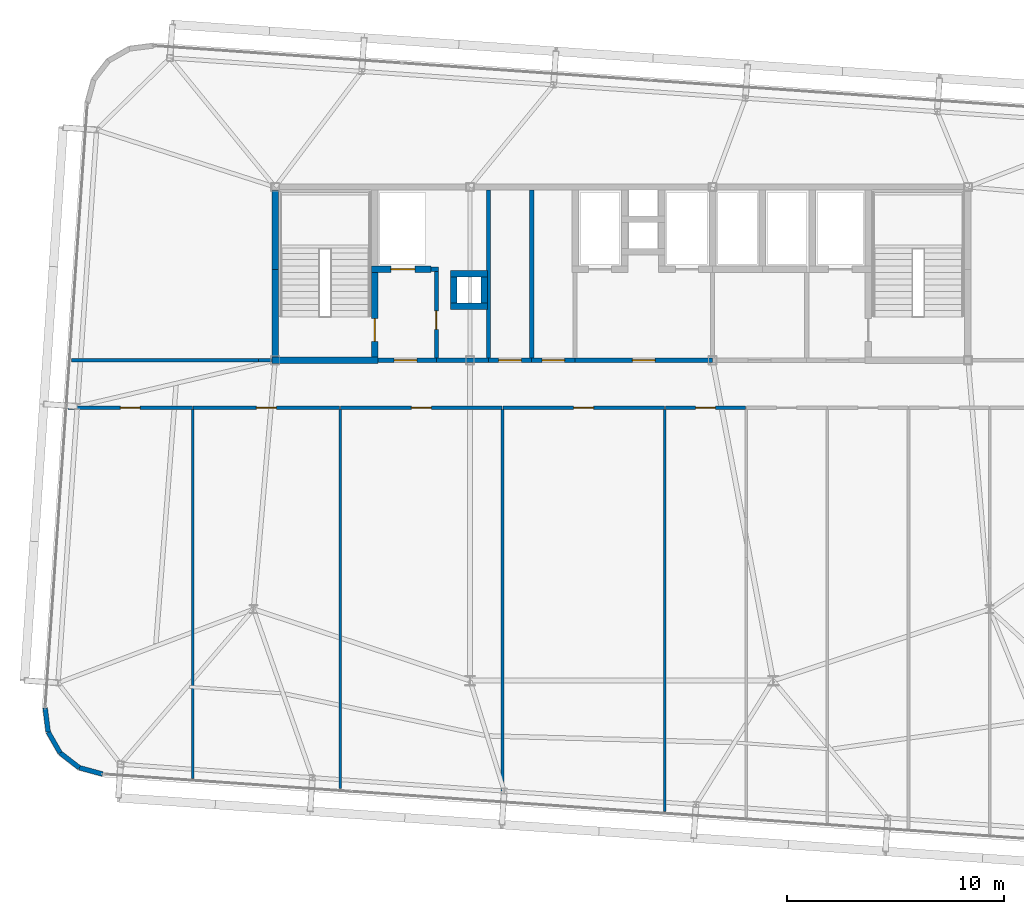
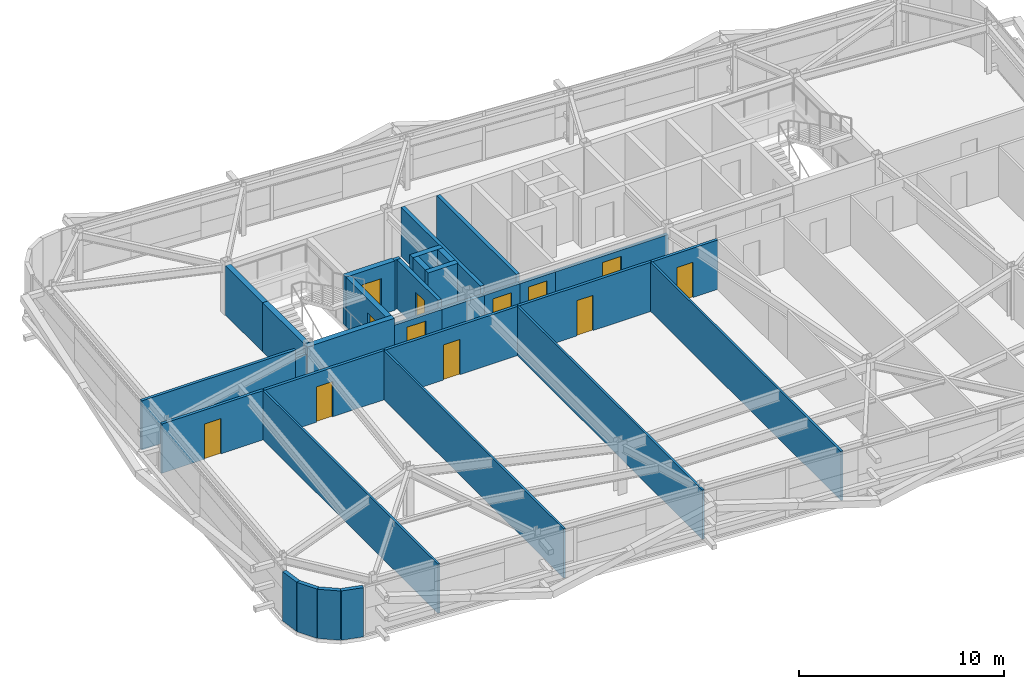
# One storey, part 35 of 39: 33 walls, 12 doors, 12 openings.
"""IFC4 building model written with IfcOpenShell, lengths in metres."""

from ifc_helpers import new_model, si_unit, direction, frame, frame_2d, origin, place, context, subcontext, project, spatial, rectangle, extrude, source, transform, mapped, material, layer, layer_set, type_object, element, fill, save


model = new_model("IFC4")

# Units and contexts
model_context = context("Model", 3, precision=1e-05, world=origin(), true_north=direction((0.0, 1.0)))
body_context = subcontext(model_context, "Body", "Model", "MODEL_VIEW")
ifc_project = project(units=[si_unit("LENGTHUNIT", "METRE"), si_unit("AREAUNIT", "SQUARE_METRE"), si_unit("VOLUMEUNIT", "CUBIC_METRE"), si_unit("PLANEANGLEUNIT", "RADIAN"), si_unit("MASSUNIT", "GRAM", prefix="KILO")], contexts=[model_context])

# Site, building, storey
site_placement = place(None, origin())
site = spatial("IfcSite", under=ifc_project, at=site_placement, CompositionType="ELEMENT")
building_placement = place(site_placement, origin())
building = spatial("IfcBuilding", under=site, at=building_placement, Name="Taldren Reach Tower", CompositionType="ELEMENT")
storey_placement = place(building_placement, frame((0.0, 0.0, 136.14990234375)))
storey = spatial("IfcBuildingStorey", under=building, at=storey_placement, Name="L41", CompositionType="ELEMENT", Elevation=136.14990234375)

# Walls
ifc_material_1 = material(Name="Pale Champagne Anodised Aluminium Cladding", Category="aluminium")
ifc_layer_1 = layer(ifc_material_1, 0.04, Name="Pale Champagne Anodised Aluminium Cladding", Category="aluminium")
ifc_material_2 = material(Name="Mineral Wool Acoustic Insulation", Category="insulation")
ifc_layer_2 = layer(ifc_material_2, 0.06, Name="Mineral Wool Acoustic Insulation", Category="insulation")
ifc_material_3 = material(Name="Steel Gr 350 (C350L0)", Category="steel")
ifc_layer_3 = layer(ifc_material_3, 0.12, Name="Steel Gr 350 (C350L0)", Category="steel")
ifc_layer_set_1 = layer_set([ifc_layer_1, ifc_layer_2, ifc_layer_3], Name="Pale Champagne Aluminium Cladding and Steel Gr 350 Stud Framing")
wall_type_1 = type_object("IfcWallType", Name="EW-CRN-220", PredefinedType="SOLIDWALL", material=ifc_layer_set_1)
shared_shape_1 = source(origin(), body_context, "Body", "SweptSolid", [
    extrude(rectangle(XDim=1.115966796875, YDim=0.219970703125, at=frame_2d((0.55810546875, 0.0))), origin(), (0.0, 0.0, 1.0), 2.93017578125),
])
for number, where, z_axis, x_axis, name in (
    (1, (8.37646484375, 7.93798828125, 0.0), (0.0, 0.0, 1.0), (0.126242535829, -0.991999406324, 0.0), "Rounded-corner pale-metal facade wall L41-SW1"),
    (2, (8.517333984375, 6.8310546875, 0.0), (0.0, 0.0, 1.0), (0.496138938357, -0.868243142124, 0.0), "Rounded-corner pale-metal facade wall L41-SW2"),
    (3, (9.071044921875, 5.862060546875, 0.0), (0.0, 0.0, 1.0), (0.790716874741, -0.612182018684, 0.0), "Rounded-corner pale-metal facade wall L41-SW3"),
    (4, (9.953369140625, 5.178955078125, 0.0), (0.0, 0.0, 1.0), (0.964804199372, -0.262969307856, 0.0), "Rounded-corner pale-metal facade wall L41-SW4"),
):
    element("IfcWall", number, at=place(storey_placement, frame(where, z_axis=z_axis, x_axis=x_axis)), inside=storey, type_object=wall_type_1, Name=name, PredefinedType="SOLIDWALL", context=body_context, shape_type="MappedRepresentation", body=[
        mapped(shared_shape_1, transform((0.0, 0.0, 0.0), scale=1.0)),
    ])

# Wall, opening, door
ifc_material_4 = material(Name="Concrete S50 (50 MPa)", Category="concrete")
ifc_layer_4 = layer(ifc_material_4, 0.199951171875)
ifc_layer_set_2 = layer_set([ifc_layer_4], Name="Concrete S50 (50 MPa)")
wall_type_2 = type_object("IfcWallType", Name="IW-CORE-200", PredefinedType="SOLIDWALL", material=ifc_layer_set_2)
shared_shape_2 = source(origin(), body_context, "Body", "SweptSolid", [
    extrude(rectangle(XDim=2.0, YDim=0.199951171875, at=frame_2d((1.0, 0.0))), origin(), (0.0, 0.0, 1.0), 2.47021484375),
])
wall_1_placement = place(storey_placement, frame((30.85009765625, 24.0, 0.0), z_axis=(0.0, 0.0, 1.0), x_axis=(-1.0, 0.0, 0.0)))
wall_1 = element("IfcWall", 5, at=wall_1_placement, inside=storey, type_object=wall_type_2, Name="Rear Core Shear Wall W-INT-L41-039", PredefinedType="SOLIDWALL", context=body_context, shape_type="MappedRepresentation", body=[
    mapped(shared_shape_2, transform((0.0, 0.0, 0.0), scale=1.0)),
])
shared_shape_3 = source(origin(), body_context, "Body", "SweptSolid", [
    extrude(rectangle(XDim=1.050048828125, YDim=2.10009765625, at=frame_2d((0.52490234375, 1.050048828125))), frame((0.0, 0.10986328125, 0.0), z_axis=(0.0, -1.0, 0.0), x_axis=(1.0, 0.0, 0.0)), (0.0, 0.0, 1.0), 0.219970703125),
])
opening_1_placement = place(wall_1_placement, frame((0.47509765625, 0.0, 0.0)))
opening_1 = element("IfcOpeningElement", 6, at=opening_1_placement, cuts=wall_1, Name="Opening DF-105", PredefinedType="OPENING", context=body_context, shape_type="MappedRepresentation", body=[
    mapped(shared_shape_3, transform((0.0, 0.0, 0.0), scale=1.0)),
])
ifc_material_5 = material(Name="Fire-Rated Care and Stair Exit Door")
door_type_1 = type_object("IfcDoorType", Name="ID-FIRE-105", OperationType="NOTDEFINED", PredefinedType="DOOR", material=ifc_material_5)
shared_shape_4 = source(origin(), body_context, "Body", "SweptSolid", [
    extrude(rectangle(XDim=1.050048828125, YDim=2.10009765625, at=frame_2d((0.52490234375, 1.050048828125))), frame((0.0, 0.02490234375, 0.0), z_axis=(0.0, -1.0, 0.0), x_axis=(1.0, 0.0, 0.0)), (0.0, 0.0, 1.0), 0.050048828125),
])
door_1_placement = place(opening_1_placement, frame((1.050048828125, 0.0, 0.0), z_axis=(0.0, 0.0, 1.0), x_axis=(-1.0, 0.0, 0.0)))
door_1 = element("IfcDoor", 7, at=door_1_placement, inside=storey, type_object=door_type_1, Name="Interior Door DR-L41-006", OperationType="SINGLE_SWING_RIGHT", OverallHeight=2.10009765625, OverallWidth=1.050048828125, PredefinedType="DOOR", context=body_context, shape_type="MappedRepresentation", body=[
    mapped(shared_shape_4, transform((0.0, 0.0, 0.0), scale=1.0)),
])
fill(opening_1, door_1)

wall_2_placement = place(storey_placement, frame((32.85009765625, 24.0, 0.0), z_axis=(0.0, 0.0, 1.0), x_axis=(-1.0, 0.0, 0.0)))
wall_2 = element("IfcWall", 8, at=wall_2_placement, inside=storey, type_object=wall_type_2, Name="Rear Core Shear Wall W-INT-L41-040", PredefinedType="SOLIDWALL", context=body_context, shape_type="MappedRepresentation", body=[
    mapped(shared_shape_2, transform((0.0, 0.0, 0.0), scale=1.0)),
])
opening_2_placement = place(wall_2_placement, frame((0.47509765625, 0.0, 0.0)))
opening_2 = element("IfcOpeningElement", 9, at=opening_2_placement, cuts=wall_2, Name="Opening DF-105", PredefinedType="OPENING", context=body_context, shape_type="MappedRepresentation", body=[
    mapped(shared_shape_3, transform((0.0, 0.0, 0.0), scale=1.0)),
])
door_2_placement = place(opening_2_placement, frame((1.050048828125, 0.0, 0.0), z_axis=(0.0, 0.0, 1.0), x_axis=(-1.0, 0.0, 0.0)))
door_2 = element("IfcDoor", 10, at=door_2_placement, inside=storey, type_object=door_type_1, Name="Interior Door DR-L41-007", OperationType="SINGLE_SWING_LEFT", OverallHeight=2.10009765625, OverallWidth=1.050048828125, PredefinedType="DOOR", context=body_context, shape_type="MappedRepresentation", body=[
    mapped(shared_shape_4, transform((0.0, 0.0, 0.0), scale=1.0)),
])
fill(opening_2, door_2)

# Walls
ifc_material_6 = material(Name="Concrete S65 (65 MPa)", Category="concrete")
ifc_layer_5 = layer(ifc_material_6, 0.300048828125)
ifc_layer_set_3 = layer_set([ifc_layer_5], Name="Concrete S65 (65 MPa)")
wall_type_3 = type_object("IfcWallType", Name="IW-CORE-300", PredefinedType="SHEAR", material=ifc_layer_set_3)
shared_shape_5 = source(origin(), body_context, "Body", "SweptSolid", [
    extrude(rectangle(XDim=4.050048828125, YDim=0.300048828125, at=frame_2d((2.02490234375, 0.0))), origin(), (0.0, 0.0, 1.0), 2.93017578125),
])
wall_3_placement = place(storey_placement, frame((19.0, 24.14990234375, 0.0), z_axis=(0.0, 0.0, 1.0), x_axis=(0.0, 1.0, 0.0)))
element("IfcWall", 11, at=wall_3_placement, inside=storey, type_object=wall_type_3, Name="Rear Core Shear Wall W-CORE-L41-WEST1", PredefinedType="SHEAR", context=body_context, shape_type="MappedRepresentation", body=[
    mapped(shared_shape_5, transform((0.0, 0.0, 0.0), scale=1.0)),
])
shared_shape_6 = source(origin(), body_context, "Body", "SweptSolid", [
    extrude(rectangle(XDim=3.650146484375, YDim=0.300048828125, at=frame_2d((1.8251953125, 0.0))), origin(), (0.0, 0.0, 1.0), 2.93017578125),
])
wall_4_placement = place(storey_placement, frame((19.0, 28.199951171875, 0.0), z_axis=(0.0, 0.0, 1.0), x_axis=(0.0, 1.0, 0.0)))
element("IfcWall", 12, at=wall_4_placement, inside=storey, type_object=wall_type_3, Name="Rear Core Shear Wall W-CORE-L41-WEST2", PredefinedType="SHEAR", context=body_context, shape_type="MappedRepresentation", body=[
    mapped(shared_shape_6, transform((0.0, 0.0, 0.0), scale=1.0)),
])

# Wall, opening, door
shared_shape_7 = source(origin(), body_context, "Body", "SweptSolid", [
    extrude(rectangle(XDim=3.900146484375, YDim=0.300048828125, at=frame_2d((1.9501953125, 0.0))), origin(), (0.0, 0.0, 1.0), 2.93017578125),
])
wall_5_placement = place(storey_placement, frame((23.60009765625, 24.14990234375, 0.0), z_axis=(0.0, 0.0, 1.0), x_axis=(0.0, 1.0, 0.0)))
wall_5 = element("IfcWall", 13, at=wall_5_placement, inside=storey, type_object=wall_type_3, Name="Rear Core Shear Wall W-INT-L41-002", PredefinedType="SHEAR", context=body_context, shape_type="MappedRepresentation", body=[
    mapped(shared_shape_7, transform((0.0, 0.0, 0.0), scale=1.0)),
])
shared_shape_8 = source(origin(), body_context, "Body", "SweptSolid", [
    extrude(rectangle(XDim=1.050048828125, YDim=2.10009765625, at=frame_2d((0.52490234375, 1.050048828125))), frame((0.0, 0.16015625, 0.0), z_axis=(0.0, -1.0, 0.0), x_axis=(1.0, 0.0, 0.0)), (0.0, 0.0, 1.0), 0.320068359375),
])
opening_3_placement = place(wall_5_placement, frame((0.72509765625, 0.0, 0.0)))
opening_3 = element("IfcOpeningElement", 14, at=opening_3_placement, cuts=wall_5, Name="Opening DF-105", PredefinedType="OPENING", context=body_context, shape_type="MappedRepresentation", body=[
    mapped(shared_shape_8, transform((0.0, 0.0, 0.0), scale=1.0)),
])
door_3_placement = place(opening_3_placement, origin())
door_3 = element("IfcDoor", 15, at=door_3_placement, inside=storey, type_object=door_type_1, Name="Fire Exit Stair Door DR-L41-001", OperationType="SINGLE_SWING_LEFT", OverallHeight=2.10009765625, OverallWidth=1.050048828125, PredefinedType="DOOR", context=body_context, shape_type="MappedRepresentation", body=[
    mapped(shared_shape_4, transform((0.0, 0.0, 0.0), scale=1.0)),
])
fill(opening_3, door_3)

# Wall
shared_shape_9 = source(origin(), body_context, "Body", "SweptSolid", [
    extrude(rectangle(XDim=4.89990234375, YDim=0.300048828125, at=frame_2d((2.449951171875, 0.0))), origin(), (0.0, 0.0, 1.0), 2.93017578125),
])
wall_6_placement = place(storey_placement, frame((18.85009765625, 24.0, 0.0), z_axis=(0.0, 0.0, 1.0), x_axis=(1.0, 0.0, 0.0)))
element("IfcWall", 16, at=wall_6_placement, inside=storey, type_object=wall_type_3, Name="Rear Core Shear Wall W-INT-L41-003", PredefinedType="SHEAR", context=body_context, shape_type="MappedRepresentation", body=[
    mapped(shared_shape_9, transform((0.0, 0.0, 0.0), scale=1.0)),
])

# Wall, opening, door
shared_shape_10 = source(origin(), body_context, "Body", "SweptSolid", [
    extrude(rectangle(XDim=2.699951171875, YDim=0.199951171875, at=frame_2d((1.35009765625, 0.0))), origin(), (0.0, 0.0, 1.0), 2.47021484375),
])
wall_7_placement = place(storey_placement, frame((23.75, 24.0, 0.0), z_axis=(0.0, 0.0, 1.0), x_axis=(1.0, 0.0, 0.0)))
wall_7 = element("IfcWall", 17, at=wall_7_placement, inside=storey, type_object=wall_type_2, Name="Rear Core Shear Wall W-INT-L41-006", PredefinedType="SOLIDWALL", context=body_context, shape_type="MappedRepresentation", body=[
    mapped(shared_shape_10, transform((0.0, 0.0, 0.0), scale=1.0)),
])
opening_4_placement = place(wall_7_placement, frame((0.75, 0.0, 0.0)))
opening_4 = element("IfcOpeningElement", 18, at=opening_4_placement, cuts=wall_7, Name="Opening DF-105", PredefinedType="OPENING", context=body_context, shape_type="MappedRepresentation", body=[
    mapped(shared_shape_3, transform((0.0, 0.0, 0.0), scale=1.0)),
])
door_4_placement = place(opening_4_placement, origin())
door_4 = element("IfcDoor", 19, at=door_4_placement, inside=storey, type_object=door_type_1, Name="Interior Door DR-L41-002", OperationType="SINGLE_SWING_LEFT", OverallHeight=2.10009765625, OverallWidth=1.050048828125, PredefinedType="DOOR", context=body_context, shape_type="MappedRepresentation", body=[
    mapped(shared_shape_4, transform((0.0, 0.0, 0.0), scale=1.0)),
])
fill(opening_4, door_4)

# Walls
shared_shape_11 = source(origin(), body_context, "Body", "SweptSolid", [
    extrude(rectangle(XDim=1.2001953125, YDim=0.300048828125, at=frame_2d((0.60009765625, 0.0))), origin(), (0.0, 0.0, 1.0), 2.93017578125),
])
for number, where, z_axis, x_axis, name in (
    (20, (28.64990234375, 26.64990234375, 0.0), (0.0, 0.0, 1.0), (0.0, 1.0, 0.0), "Rear Core Shear Wall W-INT-L41-020"),
    (21, (27.25, 27.85009765625, 0.0), (0.0, 0.0, 1.0), (0.0, -1.0, 0.0), "Rear Core Shear Wall W-INT-L41-021"),
):
    element("IfcWall", number, at=place(storey_placement, frame(where, z_axis=z_axis, x_axis=x_axis)), inside=storey, type_object=wall_type_3, Name=name, PredefinedType="SHEAR", context=body_context, shape_type="MappedRepresentation", body=[
        mapped(shared_shape_11, transform((0.0, 0.0, 0.0), scale=1.0)),
    ])

# Wall, opening, door
shared_shape_12 = source(origin(), body_context, "Body", "SweptSolid", [
    extrude(rectangle(XDim=4.0, YDim=0.199951171875, at=frame_2d((2.0, 0.0))), origin(), (0.0, 0.0, 1.0), 2.93017578125),
])
wall_8_placement = place(storey_placement, frame((26.449951171875, 24.10009765625, 0.0), z_axis=(0.0, 0.0, 1.0), x_axis=(0.0, 1.0, 0.0)))
wall_8 = element("IfcWall", 22, at=wall_8_placement, inside=storey, type_object=wall_type_2, Name="Rear Core Shear Wall W-INT-L41-005", PredefinedType="SOLIDWALL", context=body_context, shape_type="MappedRepresentation", body=[
    mapped(shared_shape_12, transform((0.0, 0.0, 0.0), scale=1.0)),
])
shared_shape_13 = source(origin(), body_context, "Body", "SweptSolid", [
    extrude(rectangle(XDim=0.860107421875, YDim=2.10009765625, at=frame_2d((0.43017578125, 1.050048828125))), frame((0.0, 0.10986328125, 0.0), z_axis=(0.0, -1.0, 0.0), x_axis=(1.0, 0.0, 0.0)), (0.0, 0.0, 1.0), 0.219970703125),
])
opening_5_placement = place(wall_8_placement, frame((1.320068359375, 0.0, 0.0)))
opening_5 = element("IfcOpeningElement", 23, at=opening_5_placement, cuts=wall_8, Name="Opening DI-086", PredefinedType="OPENING", context=body_context, shape_type="MappedRepresentation", body=[
    mapped(shared_shape_13, transform((0.0, 0.0, 0.0), scale=1.0)),
])
ifc_material_7 = material(Name="Timber Bathroom Door", Category="wood")
door_type_2 = type_object("IfcDoorType", Name="ID-INT-086", OperationType="NOTDEFINED", PredefinedType="DOOR", material=ifc_material_7)
shared_shape_14 = source(origin(), body_context, "Body", "SweptSolid", [
    extrude(rectangle(XDim=0.860107421875, YDim=2.10009765625, at=frame_2d((0.43017578125, 1.050048828125))), frame((0.0, 0.02490234375, 0.0), z_axis=(0.0, -1.0, 0.0), x_axis=(1.0, 0.0, 0.0)), (0.0, 0.0, 1.0), 0.050048828125),
])
door_5_placement = place(opening_5_placement, frame((0.860107421875, 0.0, 0.0), z_axis=(0.0, 0.0, 1.0), x_axis=(-1.0, 0.0, 0.0)))
door_5 = element("IfcDoor", 24, at=door_5_placement, inside=storey, type_object=door_type_2, Name="Interior Door DR-L41-020", OperationType="SINGLE_SWING_RIGHT", OverallHeight=2.10009765625, OverallWidth=0.860107421875, PredefinedType="DOOR", context=body_context, shape_type="MappedRepresentation", body=[
    mapped(shared_shape_14, transform((0.0, 0.0, 0.0), scale=1.0)),
])
fill(opening_5, door_5)

# Walls
shared_shape_15 = source(origin(), body_context, "Body", "SweptSolid", [
    extrude(rectangle(XDim=1.699951171875, YDim=0.300048828125, at=frame_2d((0.85009765625, 0.0))), origin(), (0.0, 0.0, 1.0), 2.93017578125),
])
for number, where, z_axis, x_axis, name in (
    (25, (28.800048828125, 28.0, 0.0), (0.0, 0.0, 1.0), (-1.0, 0.0, 0.0), "Rear Core Shear Wall W-INT-L41-022"),
    (26, (27.10009765625, 26.5, 0.0), (0.0, 0.0, 1.0), (1.0, 0.0, 0.0), "Rear Core Shear Wall W-INT-L41-023"),
):
    element("IfcWall", number, at=place(storey_placement, frame(where, z_axis=z_axis, x_axis=x_axis)), inside=storey, type_object=wall_type_3, Name=name, PredefinedType="SHEAR", context=body_context, shape_type="MappedRepresentation", body=[
        mapped(shared_shape_15, transform((0.0, 0.0, 0.0), scale=1.0)),
    ])

# Wall, opening, door
shared_shape_16 = source(origin(), body_context, "Body", "SweptSolid", [
    extrude(rectangle(XDim=6.349853515625, YDim=0.199951171875, at=frame_2d((3.1748046875, 0.0))), origin(), (0.0, 0.0, 1.0), 2.47021484375),
])
wall_9_placement = place(storey_placement, frame((39.199951171875, 24.0, 0.0), z_axis=(0.0, 0.0, 1.0), x_axis=(-1.0, 0.0, 0.0)))
wall_9 = element("IfcWall", 27, at=wall_9_placement, inside=storey, type_object=wall_type_2, Name="Rear Core Shear Wall W-INT-L41-032", PredefinedType="SOLIDWALL", context=body_context, shape_type="MappedRepresentation", body=[
    mapped(shared_shape_16, transform((0.0, 0.0, 0.0), scale=1.0)),
])
opening_6_placement = place(wall_9_placement, frame((2.64990234375, 0.0, 0.0)))
opening_6 = element("IfcOpeningElement", 28, at=opening_6_placement, cuts=wall_9, Name="Opening DF-105", PredefinedType="OPENING", context=body_context, shape_type="MappedRepresentation", body=[
    mapped(shared_shape_3, transform((0.0, 0.0, 0.0), scale=1.0)),
])
door_6_placement = place(opening_6_placement, frame((1.050048828125, 0.0, 0.0), z_axis=(0.0, 0.0, 1.0), x_axis=(-1.0, 0.0, 0.0)))
door_6 = element("IfcDoor", 29, at=door_6_placement, inside=storey, type_object=door_type_1, Name="Interior Door DR-L41-005", OperationType="SINGLE_SWING_LEFT", OverallHeight=2.10009765625, OverallWidth=1.050048828125, PredefinedType="DOOR", context=body_context, shape_type="MappedRepresentation", body=[
    mapped(shared_shape_4, transform((0.0, 0.0, 0.0), scale=1.0)),
])
fill(opening_6, door_6)

# Walls
ifc_material_8 = material(Name="Fire-Rated Acoustic Plasterboard Stud Wall", Category="gypsum")
ifc_layer_6 = layer(ifc_material_8, 0.159912109375)
ifc_layer_set_4 = layer_set([ifc_layer_6], Name="Fire-Rated Acoustic Plasterboard Stud Wall")
wall_type_4 = type_object("IfcWallType", Name="IW-FIRE-160", PredefinedType="PARTITIONING", material=ifc_layer_set_4)
shared_shape_17 = source(origin(), body_context, "Body", "SweptSolid", [
    extrude(rectangle(XDim=8.65234375, YDim=0.159912109375, at=frame_2d((4.326171875, 0.0))), origin(), (0.0, 0.0, 1.0), 2.93017578125),
])
wall_10_placement = place(storey_placement, frame((9.584228515625, 24.0, 0.0), z_axis=(0.0, 0.0, 1.0), x_axis=(1.0, 0.0, 0.0)))
element("IfcWall", 30, at=wall_10_placement, inside=storey, type_object=wall_type_4, Name="Interior Partition Wall W-INT-L41-053", PredefinedType="PARTITIONING", context=body_context, shape_type="MappedRepresentation", body=[
    mapped(shared_shape_17, transform((0.0, 0.0, 0.0), scale=1.0)),
])
shared_shape_18 = source(origin(), body_context, "Body", "SweptSolid", [
    extrude(rectangle(XDim=0.613525390625, YDim=0.159912109375, at=frame_2d((0.306640625, 0.0))), origin(), (0.0, 0.0, 1.0), 2.47021484375),
])
wall_11_placement = place(storey_placement, frame((18.236572265625, 24.0, 0.0), z_axis=(0.0, 0.0, 1.0), x_axis=(1.0, 0.0, 0.0)))
element("IfcWall", 31, at=wall_11_placement, inside=storey, type_object=wall_type_4, Name="Interior Partition Wall W-INT-L41-053 part 2", PredefinedType="PARTITIONING", context=body_context, shape_type="MappedRepresentation", body=[
    mapped(shared_shape_18, transform((0.0, 0.0, 0.0), scale=1.0)),
])

# Wall, opening, door
shared_shape_19 = source(origin(), body_context, "Body", "SweptSolid", [
    extrude(rectangle(XDim=2.75, YDim=0.300048828125, at=frame_2d((1.375, 0.0))), origin(), (0.0, 0.0, 1.0), 2.93017578125),
])
wall_12_placement = place(storey_placement, frame((23.449951171875, 28.199951171875, 0.0), z_axis=(0.0, 0.0, 1.0), x_axis=(1.0, 0.0, 0.0)))
wall_12 = element("IfcWall", 32, at=wall_12_placement, inside=storey, type_object=wall_type_3, Name="Rear Core Shear Wall W-INT-L41-004", PredefinedType="SHEAR", context=body_context, shape_type="MappedRepresentation", body=[
    mapped(shared_shape_19, transform((0.0, 0.0, 0.0), scale=1.0)),
])
shared_shape_20 = source(origin(), body_context, "Body", "SweptSolid", [
    extrude(rectangle(XDim=1.10009765625, YDim=2.14990234375, at=frame_2d((0.550048828125, 1.074951171875))), frame((0.0, 0.16015625, 0.0), z_axis=(0.0, -1.0, 0.0), x_axis=(1.0, 0.0, 0.0)), (0.0, 0.0, 1.0), 0.320068359375),
])
opening_7_placement = place(wall_12_placement, frame((0.89990234375, 0.0, 0.0)))
opening_7 = element("IfcOpeningElement", 33, at=opening_7_placement, cuts=wall_12, Name="Opening LD-FL1", PredefinedType="OPENING", context=body_context, shape_type="MappedRepresentation", body=[
    mapped(shared_shape_20, transform((0.0, 0.0, 0.0), scale=1.0)),
])
ifc_material_9 = material(Name="Stainless Steel Gr 316 Emergency Lift Landing Door", Category="steel")
door_type_3 = type_object("IfcDoorType", Name="LD-EMG-110", OperationType="SLIDING_TO_LEFT", PredefinedType="DOOR", material=ifc_material_9)
shared_shape_21 = source(origin(), body_context, "Body", "SweptSolid", [
    extrude(rectangle(XDim=1.10009765625, YDim=2.14990234375, at=frame_2d((0.550048828125, 1.074951171875))), frame((0.0, 0.02490234375, 0.0), z_axis=(0.0, -1.0, 0.0), x_axis=(1.0, 0.0, 0.0)), (0.0, 0.0, 1.0), 0.050048828125),
])
door_7_placement = place(opening_7_placement, origin())
door_7 = element("IfcDoor", 34, at=door_7_placement, inside=storey, type_object=door_type_3, Name="Lift Landing Door LD-FL1-L41", OperationType="SLIDING_TO_LEFT", OverallHeight=2.14990234375, OverallWidth=1.10009765625, PredefinedType="DOOR", context=body_context, shape_type="MappedRepresentation", body=[
    mapped(shared_shape_21, transform((0.0, 0.0, 0.0), scale=1.0)),
])
fill(opening_7, door_7)

# Walls
shared_shape_22 = source(origin(), body_context, "Body", "SweptSolid", [
    extrude(rectangle(XDim=7.75, YDim=0.199951171875, at=frame_2d((3.875, 0.0))), origin(), (0.0, 0.0, 1.0), 2.93017578125),
])
for number, where, z_axis, x_axis, name in (
    (35, (28.85009765625, 31.85009765625, 0.0), (0.0, 0.0, 1.0), (0.0, -1.0, 0.0), "Rear Core Shear Wall W-INT-L41-036"),
    (36, (30.85009765625, 31.85009765625, 0.0), (0.0, 0.0, 1.0), (0.0, -1.0, 0.0), "Rear Core Shear Wall W-INT-L41-038"),
):
    element("IfcWall", number, at=place(storey_placement, frame(where, z_axis=z_axis, x_axis=x_axis)), inside=storey, type_object=wall_type_2, Name=name, PredefinedType="SOLIDWALL", context=body_context, shape_type="MappedRepresentation", body=[
        mapped(shared_shape_22, transform((0.0, 0.0, 0.0), scale=1.0)),
    ])
shared_shape_23 = source(origin(), body_context, "Body", "SweptSolid", [
    extrude(rectangle(XDim=2.400146484375, YDim=0.199951171875, at=frame_2d((1.2001953125, 0.0))), origin(), (0.0, 0.0, 1.0), 2.47021484375),
])
wall_13_placement = place(storey_placement, frame((28.85009765625, 24.0, 0.0), z_axis=(0.0, 0.0, 1.0), x_axis=(-1.0, 0.0, 0.0)))
element("IfcWall", 37, at=wall_13_placement, inside=storey, type_object=wall_type_2, Name="Rear Core Shear Wall W-INT-L41-037", PredefinedType="SOLIDWALL", context=body_context, shape_type="MappedRepresentation", body=[
    mapped(shared_shape_23, transform((0.0, 0.0, 0.0), scale=1.0)),
])

# Wall, opening, door
shared_shape_24 = source(origin(), body_context, "Body", "SweptSolid", [
    extrude(rectangle(XDim=5.732177734375, YDim=0.159912109375, at=frame_2d((2.8662109375, 0.0))), origin(), (0.0, 0.0, 1.0), 2.93017578125),
])
wall_14_placement = place(storey_placement, frame((15.173583984375, 21.800048828125, 0.0), z_axis=(0.0, 0.0, 1.0), x_axis=(-1.0, 0.0, 0.0)))
wall_14 = element("IfcWall", 38, at=wall_14_placement, inside=storey, type_object=wall_type_4, Name="Interior Partition Wall W-INT-L41-042", PredefinedType="PARTITIONING", context=body_context, shape_type="MappedRepresentation", body=[
    mapped(shared_shape_24, transform((0.0, 0.0, 0.0), scale=1.0)),
])
shared_shape_25 = source(origin(), body_context, "Body", "SweptSolid", [
    extrude(rectangle(XDim=0.919921875, YDim=2.10009765625, at=frame_2d((0.4599609375, 1.050048828125))), frame((0.0, 0.08984375, 0.0), z_axis=(0.0, -1.0, 0.0), x_axis=(1.0, 0.0, 0.0)), (0.0, 0.0, 1.0), 0.179931640625),
])
opening_8_placement = place(wall_14_placement, frame((2.406005859375, 0.0, 0.0)))
opening_8 = element("IfcOpeningElement", 39, at=opening_8_placement, cuts=wall_14, Name="Opening DI-092", PredefinedType="OPENING", context=body_context, shape_type="MappedRepresentation", body=[
    mapped(shared_shape_25, transform((0.0, 0.0, 0.0), scale=1.0)),
])
ifc_material_10 = material(Name="Solid-Core Timber Suite Door", Category="wood")
door_type_4 = type_object("IfcDoorType", Name="ID-INT-092", OperationType="NOTDEFINED", PredefinedType="DOOR", material=ifc_material_10)
shared_shape_26 = source(origin(), body_context, "Body", "SweptSolid", [
    extrude(rectangle(XDim=0.919921875, YDim=2.10009765625, at=frame_2d((0.4599609375, 1.050048828125))), frame((0.0, 0.02490234375, 0.0), z_axis=(0.0, -1.0, 0.0), x_axis=(1.0, 0.0, 0.0)), (0.0, 0.0, 1.0), 0.050048828125),
])
door_8_placement = place(opening_8_placement, origin())
door_8 = element("IfcDoor", 40, at=door_8_placement, inside=storey, type_object=door_type_4, Name="Interior Door DR-L41-009", OperationType="SINGLE_SWING_RIGHT", OverallHeight=2.10009765625, OverallWidth=0.919921875, PredefinedType="DOOR", context=body_context, shape_type="MappedRepresentation", body=[
    mapped(shared_shape_26, transform((0.0, 0.0, 0.0), scale=1.0)),
])
fill(opening_8, door_8)

shared_shape_27 = source(origin(), body_context, "Body", "SweptSolid", [
    extrude(rectangle(XDim=6.765380859375, YDim=0.159912109375, at=frame_2d((3.3828125, 0.0))), origin(), (0.0, 0.0, 1.0), 2.93017578125),
])
wall_15_placement = place(storey_placement, frame((21.9794921875, 21.800048828125, 0.0), z_axis=(0.0, 0.0, 1.0), x_axis=(-1.0, 0.0, 0.0)))
wall_15 = element("IfcWall", 41, at=wall_15_placement, inside=storey, type_object=wall_type_4, Name="Interior Partition Wall W-INT-L41-043", PredefinedType="PARTITIONING", context=body_context, shape_type="MappedRepresentation", body=[
    mapped(shared_shape_27, transform((0.0, 0.0, 0.0), scale=1.0)),
])
opening_9_placement = place(wall_15_placement, frame((2.922607421875, 0.0, 0.0)))
opening_9 = element("IfcOpeningElement", 42, at=opening_9_placement, cuts=wall_15, Name="Opening DI-092", PredefinedType="OPENING", context=body_context, shape_type="MappedRepresentation", body=[
    mapped(shared_shape_25, transform((0.0, 0.0, 0.0), scale=1.0)),
])
door_9_placement = place(opening_9_placement, origin())
door_9 = element("IfcDoor", 43, at=door_9_placement, inside=storey, type_object=door_type_4, Name="Interior Door DR-L41-010", OperationType="SINGLE_SWING_LEFT", OverallHeight=2.10009765625, OverallWidth=0.919921875, PredefinedType="DOOR", context=body_context, shape_type="MappedRepresentation", body=[
    mapped(shared_shape_26, transform((0.0, 0.0, 0.0), scale=1.0)),
])
fill(opening_9, door_9)

shared_shape_28 = source(origin(), body_context, "Body", "SweptSolid", [
    extrude(rectangle(XDim=7.45947265625, YDim=0.159912109375, at=frame_2d((3.729736328125, 0.0))), origin(), (0.0, 0.0, 1.0), 2.93017578125),
])
wall_16_placement = place(storey_placement, frame((29.479736328125, 21.800048828125, 0.0), z_axis=(0.0, 0.0, 1.0), x_axis=(-1.0, 0.0, 0.0)))
wall_16 = element("IfcWall", 44, at=wall_16_placement, inside=storey, type_object=wall_type_4, Name="Interior Partition Wall W-INT-L41-044", PredefinedType="PARTITIONING", context=body_context, shape_type="MappedRepresentation", body=[
    mapped(shared_shape_28, transform((0.0, 0.0, 0.0), scale=1.0)),
])
opening_10_placement = place(wall_16_placement, frame((3.269775390625, 0.0, 0.0)))
opening_10 = element("IfcOpeningElement", 45, at=opening_10_placement, cuts=wall_16, Name="Opening DI-092", PredefinedType="OPENING", context=body_context, shape_type="MappedRepresentation", body=[
    mapped(shared_shape_25, transform((0.0, 0.0, 0.0), scale=1.0)),
])
door_10_placement = place(opening_10_placement, origin())
door_10 = element("IfcDoor", 46, at=door_10_placement, inside=storey, type_object=door_type_4, Name="Interior Door DR-L41-011", OperationType="SINGLE_SWING_RIGHT", OverallHeight=2.10009765625, OverallWidth=0.919921875, PredefinedType="DOOR", context=body_context, shape_type="MappedRepresentation", body=[
    mapped(shared_shape_26, transform((0.0, 0.0, 0.0), scale=1.0)),
])
fill(opening_10, door_10)

wall_17_placement = place(storey_placement, frame((36.979736328125, 21.800048828125, 0.0), z_axis=(0.0, 0.0, 1.0), x_axis=(-1.0, 0.0, 0.0)))
wall_17 = element("IfcWall", 47, at=wall_17_placement, inside=storey, type_object=wall_type_4, Name="Interior Partition Wall W-INT-L41-045", PredefinedType="PARTITIONING", context=body_context, shape_type="MappedRepresentation", body=[
    mapped(shared_shape_28, transform((0.0, 0.0, 0.0), scale=1.0)),
])
opening_11_placement = place(wall_17_placement, frame((3.269775390625, 0.0, 0.0)))
opening_11 = element("IfcOpeningElement", 48, at=opening_11_placement, cuts=wall_17, Name="Opening DI-092", PredefinedType="OPENING", context=body_context, shape_type="MappedRepresentation", body=[
    mapped(shared_shape_25, transform((0.0, 0.0, 0.0), scale=1.0)),
])
door_11_placement = place(opening_11_placement, origin())
door_11 = element("IfcDoor", 49, at=door_11_placement, inside=storey, type_object=door_type_4, Name="Interior Door DR-L41-012", OperationType="SINGLE_SWING_LEFT", OverallHeight=2.10009765625, OverallWidth=0.919921875, PredefinedType="DOOR", context=body_context, shape_type="MappedRepresentation", body=[
    mapped(shared_shape_26, transform((0.0, 0.0, 0.0), scale=1.0)),
])
fill(opening_11, door_11)

shared_shape_29 = source(origin(), body_context, "Body", "SweptSolid", [
    extrude(rectangle(XDim=3.70947265625, YDim=0.159912109375, at=frame_2d((1.854736328125, 0.0))), origin(), (0.0, 0.0, 1.0), 2.93017578125),
])
wall_18_placement = place(storey_placement, frame((40.729736328125, 21.800048828125, 0.0), z_axis=(0.0, 0.0, 1.0), x_axis=(-1.0, 0.0, 0.0)))
wall_18 = element("IfcWall", 50, at=wall_18_placement, inside=storey, type_object=wall_type_4, Name="Interior Partition Wall W-INT-L41-046", PredefinedType="PARTITIONING", context=body_context, shape_type="MappedRepresentation", body=[
    mapped(shared_shape_29, transform((0.0, 0.0, 0.0), scale=1.0)),
])
opening_12_placement = place(wall_18_placement, frame((1.394775390625, 0.0, 0.0)))
opening_12 = element("IfcOpeningElement", 51, at=opening_12_placement, cuts=wall_18, Name="Opening DI-092", PredefinedType="OPENING", context=body_context, shape_type="MappedRepresentation", body=[
    mapped(shared_shape_25, transform((0.0, 0.0, 0.0), scale=1.0)),
])
door_12_placement = place(opening_12_placement, origin())
door_12 = element("IfcDoor", 52, at=door_12_placement, inside=storey, type_object=door_type_4, Name="Interior Door DR-L41-013", OperationType="SINGLE_SWING_RIGHT", OverallHeight=2.10009765625, OverallWidth=0.919921875, PredefinedType="DOOR", context=body_context, shape_type="MappedRepresentation", body=[
    mapped(shared_shape_26, transform((0.0, 0.0, 0.0), scale=1.0)),
])
fill(opening_12, door_12)

# Walls
ifc_material_11 = material(Name="Insulated Residential Stud Partition", Category="gypsum")
ifc_layer_7 = layer(ifc_material_11, 0.1201171875)
ifc_layer_set_5 = layer_set([ifc_layer_7], Name="Insulated Residential Stud Partition")
wall_type_5 = type_object("IfcWallType", Name="IW-PART-120", PredefinedType="PARTITIONING", material=ifc_layer_set_5)
shared_shape_30 = source(origin(), body_context, "Body", "SweptSolid", [
    extrude(rectangle(XDim=17.026123046875, YDim=0.1201171875, at=frame_2d((8.51318359375, 0.0))), origin(), (0.0, 0.0, 1.0), 2.93017578125),
])
wall_19_placement = place(storey_placement, frame((15.19384765625, 21.718017578125, 0.0), z_axis=(0.0, 0.0, 1.0), x_axis=(0.0, -1.0, 0.0)))
element("IfcWall", 53, at=wall_19_placement, inside=storey, type_object=wall_type_5, Name="Interior Partition Wall W-INT-L41-054", PredefinedType="PARTITIONING", context=body_context, shape_type="MappedRepresentation", body=[
    mapped(shared_shape_30, transform((0.0, 0.0, 0.0), scale=1.0)),
])
shared_shape_31 = source(origin(), body_context, "Body", "SweptSolid", [
    extrude(rectangle(XDim=17.5, YDim=0.1201171875, at=frame_2d((8.75, 0.0))), origin(), (0.0, 0.0, 1.0), 2.93017578125),
])
wall_20_placement = place(storey_placement, frame((22.0, 21.717041015625, 0.0), z_axis=(0.0, 0.0, 1.0), x_axis=(0.0, -1.0, 0.0)))
element("IfcWall", 54, at=wall_20_placement, inside=storey, type_object=wall_type_5, Name="Interior Partition Wall W-INT-L41-055", PredefinedType="PARTITIONING", context=body_context, shape_type="MappedRepresentation", body=[
    mapped(shared_shape_31, transform((0.0, 0.0, 0.0), scale=1.0)),
])
shared_shape_32 = source(origin(), body_context, "Body", "SweptSolid", [
    extrude(rectangle(XDim=18.0302734375, YDim=0.1201171875, at=frame_2d((9.01513671875, 0.0))), origin(), (0.0, 0.0, 1.0), 2.93017578125),
])
wall_21_placement = place(storey_placement, frame((29.5, 21.719970703125, 0.0), z_axis=(0.0, 0.0, 1.0), x_axis=(0.0, -1.0, 0.0)))
element("IfcWall", 55, at=wall_21_placement, inside=storey, type_object=wall_type_5, Name="Interior Partition Wall W-INT-L41-056", PredefinedType="PARTITIONING", context=body_context, shape_type="MappedRepresentation", body=[
    mapped(shared_shape_32, transform((0.0, 0.0, 0.0), scale=1.0)),
])
shared_shape_33 = source(origin(), body_context, "Body", "SweptSolid", [
    extrude(rectangle(XDim=18.5546875, YDim=0.1201171875, at=frame_2d((9.27734375, 0.0))), origin(), (0.0, 0.0, 1.0), 2.93017578125),
])
wall_22_placement = place(storey_placement, frame((37.0, 21.719970703125, 0.0), z_axis=(0.0, 0.0, 1.0), x_axis=(0.0, -1.0, 0.0)))
element("IfcWall", 56, at=wall_22_placement, inside=storey, type_object=wall_type_5, Name="Interior Partition Wall W-INT-L41-057", PredefinedType="PARTITIONING", context=body_context, shape_type="MappedRepresentation", body=[
    mapped(shared_shape_33, transform((0.0, 0.0, 0.0), scale=1.0)),
])
shared_shape_34 = source(origin(), body_context, "Body", "SweptSolid", [
    extrude(rectangle(XDim=0.35009765625, YDim=0.199951171875, at=frame_2d((0.175048828125, 0.0))), origin(), (0.0, 0.0, 1.0), 2.93017578125),
])
wall_23_placement = place(storey_placement, frame((26.199951171875, 28.199951171875, 0.0), z_axis=(0.0, 0.0, 1.0), x_axis=(1.0, 0.0, 0.0)))
element("IfcWall", 57, at=wall_23_placement, inside=storey, type_object=wall_type_2, Name="Rear Core Partition Wall W-INT-L41-063", PredefinedType="SOLIDWALL", context=body_context, shape_type="MappedRepresentation", body=[
    mapped(shared_shape_34, transform((0.0, 0.0, 0.0), scale=1.0)),
])

save(model, "model.ifc")
